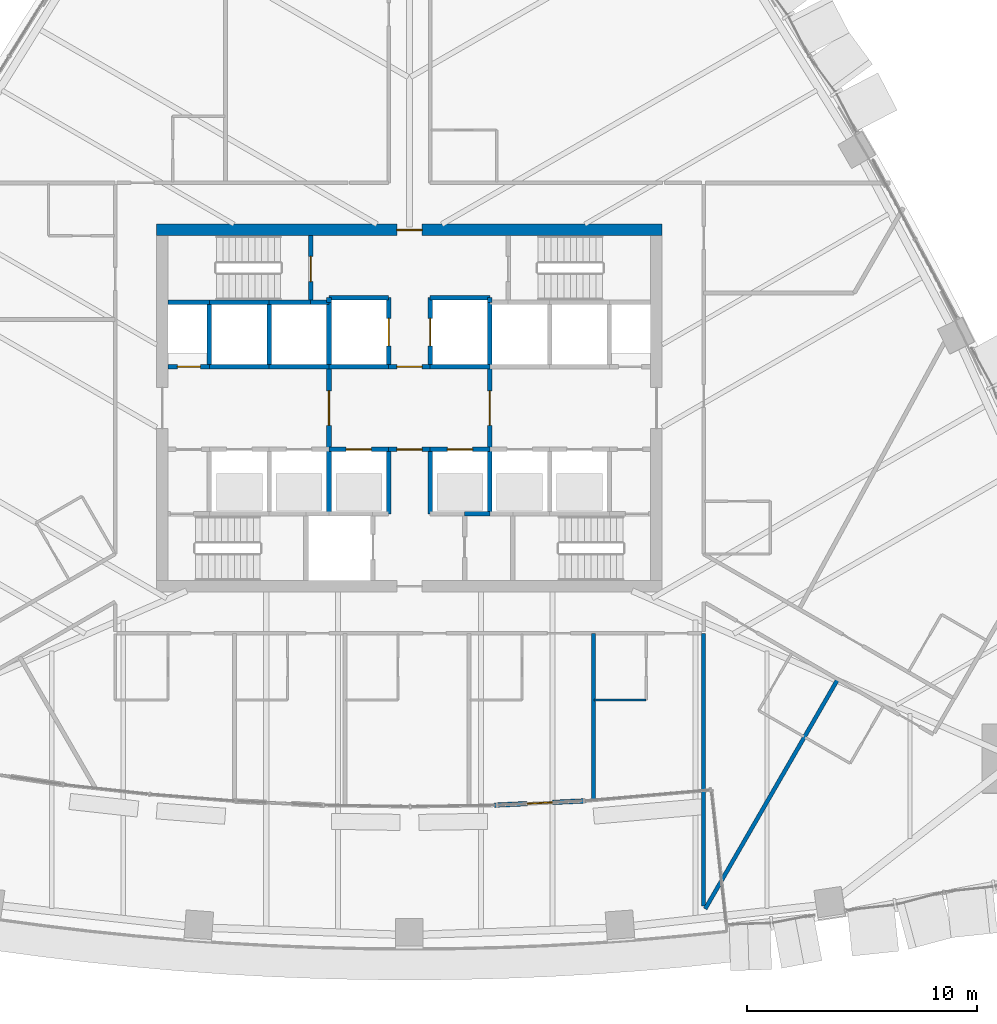
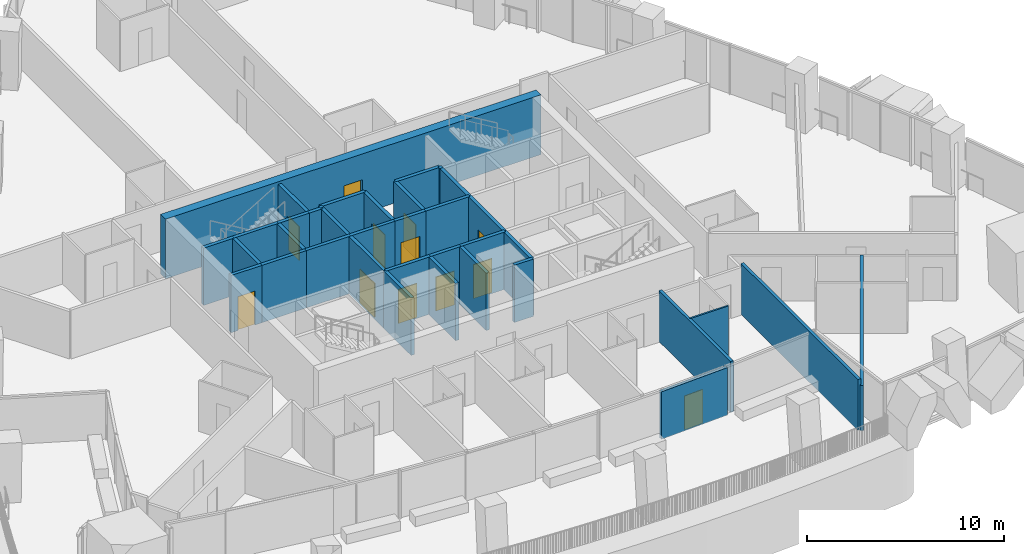
# One storey, part 13 of 22: 37 walls, 12 doors, 12 openings.
"""IFC4 building model written with IfcOpenShell, lengths in metres."""

from ifc_helpers import new_model, si_unit, direction, frame, frame_2d, origin, place, context, subcontext, project, spatial, rectangle, extrude, material, layer, layer_set, type_object, element, fill, save


model = new_model("IFC4")

# Units and contexts
model_context = context("Model", 3, precision=1e-05, world=origin(), true_north=direction((0.0, 1.0)))
body_context = subcontext(model_context, "Body", "Model", "MODEL_VIEW")
ifc_project = project(units=[si_unit("LENGTHUNIT", "METRE"), si_unit("AREAUNIT", "SQUARE_METRE"), si_unit("VOLUMEUNIT", "CUBIC_METRE"), si_unit("PLANEANGLEUNIT", "RADIAN"), si_unit("MASSUNIT", "GRAM", prefix="KILO")], contexts=[model_context])

# Site, building, storey
site_placement = place(None, origin())
site = spatial("IfcSite", under=ifc_project, at=site_placement, CompositionType="ELEMENT")
building_placement = place(site_placement, origin())
building = spatial("IfcBuilding", under=site, at=building_placement, Name="Sierra Prisma Convention Tower", CompositionType="ELEMENT")
storey_placement = place(building_placement, frame((0.0, 0.0, 73.89990234375)))
storey = spatial("IfcBuildingStorey", under=building, at=storey_placement, Name="L14", CompositionType="ELEMENT", Elevation=73.89990234375)

# Wall
ifc_material_1 = material(Name="Gypsum board partition", Category="gypsum")
ifc_layer_1 = layer(ifc_material_1, 0.10009765625)
ifc_layer_set_1 = layer_set([ifc_layer_1], Name="Bathroom partition 100")
wall_type_1 = type_object("IfcWallType", Name="Bathroom partition 100", PredefinedType="PARTITIONING", material=ifc_layer_set_1)
wall_1_placement = place(storey_placement, frame((10.300048828125, -12.699951171875, 0.0), z_axis=(0.0, 0.0, 1.0), x_axis=(-1.0, 0.0, 0.0)))
element("IfcWall", 1, at=wall_1_placement, inside=storey, type_object=wall_type_1, Name="Partition L14 bath 23", PredefinedType="PARTITIONING", context=body_context, shape_type="SweptSolid", body=[
    extrude(rectangle(XDim=2.27001953125, YDim=0.10009765625, at=frame_2d((1.135009765625, 0.0))), origin(), (0.0, 0.0, 1.0), 3.150146484375),
])

# Wall, opening, door
ifc_material_2 = material(Name="Concrete C30/37", Category="concrete")
ifc_layer_2 = layer(ifc_material_2, 0.199951171875)
ifc_layer_set_2 = layer_set([ifc_layer_2], Name="Core wall RC 200 C30/37")
wall_type_2 = type_object("IfcWallType", Name="Core wall RC 200 C30/37", PredefinedType="SOLIDWALL", material=ifc_layer_set_2)
wall_2_placement = place(storey_placement, frame((-8.699951171875, 1.800048828125, 0.0), z_axis=(0.0, 0.0, 1.0), x_axis=(-1.0, 0.0, 0.0)))
wall_2 = element("IfcWall", 2, at=wall_2_placement, inside=storey, type_object=wall_type_2, Name="Core wall L14 3", PredefinedType="SOLIDWALL", context=body_context, shape_type="SweptSolid", body=[
    extrude(rectangle(XDim=1.800048828125, YDim=0.199951171875, at=frame_2d((0.89990234375, 0.0))), origin(), (0.0, 0.0, 1.0), 3.550048828125),
])
opening_1_placement = place(wall_2_placement, frame((0.39990234375, 0.0, 0.0)))
opening_1 = element("IfcOpeningElement", 3, at=opening_1_placement, cuts=wall_2, Name="Opening L14-D033", PredefinedType="OPENING", context=body_context, shape_type="SweptSolid", body=[
    extrude(rectangle(XDim=1.0, YDim=2.10009765625, at=frame_2d((0.5, 1.050048828125))), frame((0.0, 0.10009765625, 0.0), z_axis=(0.0, -1.0, 0.0), x_axis=(1.0, 0.0, 0.0)), (0.0, 0.0, 1.0), 0.199951171875),
])
ifc_material_3 = material(Name="Steel fire door leaf", Category="steel")
door_type_1 = type_object("IfcDoorType", Name="Door 1000x2100 FD60S", OperationType="SINGLE_SWING_LEFT", PredefinedType="DOOR", material=ifc_material_3)
door_1_placement = place(opening_1_placement, origin())
door_1 = element("IfcDoor", 4, at=door_1_placement, inside=storey, type_object=door_type_1, Name="Door L14 47", OperationType="SINGLE_SWING_RIGHT", OverallHeight=2.10009765625, OverallWidth=1.0, PredefinedType="DOOR", context=body_context, shape_type="SweptSolid", body=[
    extrude(rectangle(XDim=1.0, YDim=2.10009765625, at=frame_2d((0.5, 1.050048828125))), frame((0.0, 0.02490234375, 0.0), z_axis=(0.0, -1.0, 0.0), x_axis=(1.0, 0.0, 0.0)), (0.0, 0.0, 1.0), 0.050048828125),
])
fill(opening_1, door_1)

# Walls
wall_3_placement = place(storey_placement, frame((-8.699951171875, 4.60009765625, 0.0), z_axis=(0.0, 0.0, 1.0), x_axis=(-1.0, 0.0, 0.0)))
element("IfcWall", 5, at=wall_3_placement, inside=storey, type_object=wall_type_2, Name="Core wall L14 4", PredefinedType="SOLIDWALL", context=body_context, shape_type="SweptSolid", body=[
    extrude(rectangle(XDim=1.800048828125, YDim=0.199951171875, at=frame_2d((0.89990234375, 0.0))), origin(), (0.0, 0.0, 1.0), 3.550048828125),
])
wall_4_placement = place(storey_placement, frame((-6.10009765625, 1.800048828125, 0.0), z_axis=(0.0, 0.0, 1.0), x_axis=(-1.0, 0.0, 0.0)))
element("IfcWall", 6, at=wall_4_placement, inside=storey, type_object=wall_type_2, Name="Core wall L14 8", PredefinedType="SOLIDWALL", context=body_context, shape_type="SweptSolid", body=[
    extrude(rectangle(XDim=2.599853515625, YDim=0.199951171875, at=frame_2d((1.2998046875, 0.0))), origin(), (0.0, 0.0, 1.0), 3.550048828125),
])
wall_5_placement = place(storey_placement, frame((-8.699951171875, 1.800048828125, 0.0), z_axis=(0.0, 0.0, 1.0), x_axis=(0.0, 1.0, 0.0)))
element("IfcWall", 7, at=wall_5_placement, inside=storey, type_object=wall_type_2, Name="Core wall L14 9", PredefinedType="SOLIDWALL", context=body_context, shape_type="SweptSolid", body=[
    extrude(rectangle(XDim=2.800048828125, YDim=0.199951171875, at=frame_2d((1.39990234375, 0.0))), origin(), (0.0, 0.0, 1.0), 3.550048828125),
])
wall_6_placement = place(storey_placement, frame((-6.10009765625, 4.60009765625, 0.0), z_axis=(0.0, 0.0, 1.0), x_axis=(-1.0, 0.0, 0.0)))
element("IfcWall", 8, at=wall_6_placement, inside=storey, type_object=wall_type_2, Name="Core wall L14 10", PredefinedType="SOLIDWALL", context=body_context, shape_type="SweptSolid", body=[
    extrude(rectangle(XDim=2.599853515625, YDim=0.199951171875, at=frame_2d((1.2998046875, 0.0))), origin(), (0.0, 0.0, 1.0), 3.550048828125),
])
wall_7_placement = place(storey_placement, frame((-3.5, 1.800048828125, 0.0), z_axis=(0.0, 0.0, 1.0), x_axis=(-1.0, 0.0, 0.0)))
element("IfcWall", 9, at=wall_7_placement, inside=storey, type_object=wall_type_2, Name="Core wall L14 14", PredefinedType="SOLIDWALL", context=body_context, shape_type="SweptSolid", body=[
    extrude(rectangle(XDim=2.60009765625, YDim=0.199951171875, at=frame_2d((1.300048828125, 0.0))), origin(), (0.0, 0.0, 1.0), 3.550048828125),
])
wall_8_placement = place(storey_placement, frame((-6.10009765625, 1.800048828125, 0.0), z_axis=(0.0, 0.0, 1.0), x_axis=(0.0, 1.0, 0.0)))
element("IfcWall", 10, at=wall_8_placement, inside=storey, type_object=wall_type_2, Name="Core wall L14 15", PredefinedType="SOLIDWALL", context=body_context, shape_type="SweptSolid", body=[
    extrude(rectangle(XDim=2.800048828125, YDim=0.199951171875, at=frame_2d((1.39990234375, 0.0))), origin(), (0.0, 0.0, 1.0), 3.550048828125),
])
wall_9_placement = place(storey_placement, frame((-4.300048828125, 4.60009765625, 0.0), z_axis=(0.0, 0.0, 1.0), x_axis=(-1.0, 0.0, 0.0)))
element("IfcWall", 11, at=wall_9_placement, inside=storey, type_object=wall_type_2, Name="Core wall L14 16", PredefinedType="SOLIDWALL", context=body_context, shape_type="SweptSolid", body=[
    extrude(rectangle(XDim=1.800048828125, YDim=0.199951171875, at=frame_2d((0.89990234375, 0.0))), origin(), (0.0, 0.0, 1.0), 3.550048828125),
])
wall_10_placement = place(storey_placement, frame((-3.5, 4.60009765625, 0.0), z_axis=(0.0, 0.0, 1.0), x_axis=(-1.0, 0.0, 0.0)))
element("IfcWall", 12, at=wall_10_placement, inside=storey, type_object=wall_type_2, Name="Core wall L14 19", PredefinedType="SOLIDWALL", context=body_context, shape_type="SweptSolid", body=[
    extrude(rectangle(XDim=0.800048828125, YDim=0.199951171875, at=frame_2d((0.39990234375, 0.0))), origin(), (0.0, 0.0, 1.0), 3.550048828125),
])

# Wall, opening, door
wall_11_placement = place(storey_placement, frame((-4.300048828125, 4.60009765625, 0.0), z_axis=(0.0, 0.0, 1.0), x_axis=(0.0, 1.0, 0.0)))
wall_11 = element("IfcWall", 13, at=wall_11_placement, inside=storey, type_object=wall_type_2, Name="Core wall L14 20", PredefinedType="SOLIDWALL", context=body_context, shape_type="SweptSolid", body=[
    extrude(rectangle(XDim=2.89990234375, YDim=0.199951171875, at=frame_2d((1.449951171875, 0.0))), origin(), (0.0, 0.0, 1.0), 3.550048828125),
])
opening_2_placement = place(wall_11_placement, frame((0.89990234375, 0.0, 0.0)))
opening_2 = element("IfcOpeningElement", 14, at=opening_2_placement, cuts=wall_11, Name="Opening L14-D037", PredefinedType="OPENING", context=body_context, shape_type="SweptSolid", body=[
    extrude(rectangle(XDim=1.10009765625, YDim=2.10009765625, at=frame_2d((0.550048828125, 1.050048828125))), frame((0.0, 0.10009765625, 0.0), z_axis=(0.0, -1.0, 0.0), x_axis=(1.0, 0.0, 0.0)), (0.0, 0.0, 1.0), 0.199951171875),
])
ifc_material_4 = material(Name="Steel fire door leaf", Category="steel")
door_type_2 = type_object("IfcDoorType", Name="Door 1100x2100 FD90S", OperationType="SINGLE_SWING_LEFT", PredefinedType="DOOR", material=ifc_material_4)
door_2_placement = place(opening_2_placement, origin())
door_2 = element("IfcDoor", 15, at=door_2_placement, inside=storey, type_object=door_type_2, Name="Door L14 51", OperationType="SINGLE_SWING_RIGHT", OverallHeight=2.10009765625, OverallWidth=1.10009765625, PredefinedType="DOOR", context=body_context, shape_type="SweptSolid", body=[
    extrude(rectangle(XDim=1.10009765625, YDim=2.10009765625, at=frame_2d((0.550048828125, 1.050048828125))), frame((0.0, 0.02490234375, 0.0), z_axis=(0.0, -1.0, 0.0), x_axis=(1.0, 0.0, 0.0)), (0.0, 0.0, 1.0), 0.050048828125),
])
fill(opening_2, door_2)

# Wall
wall_12_placement = place(storey_placement, frame((-3.5, -4.60009765625, 0.0), z_axis=(0.0, 0.0, 1.0), x_axis=(0.0, 1.0, 0.0)))
element("IfcWall", 16, at=wall_12_placement, inside=storey, type_object=wall_type_2, Name="Core wall L14 22", PredefinedType="SOLIDWALL", context=body_context, shape_type="SweptSolid", body=[
    extrude(rectangle(XDim=2.800048828125, YDim=0.199951171875, at=frame_2d((1.39990234375, 0.0))), origin(), (0.0, 0.0, 1.0), 3.550048828125),
])

# Wall, opening, door
wall_13_placement = place(storey_placement, frame((-3.5, -1.800048828125, 0.0), z_axis=(0.0, 0.0, 1.0), x_axis=(1.0, 0.0, 0.0)))
wall_13 = element("IfcWall", 17, at=wall_13_placement, inside=storey, type_object=wall_type_2, Name="Core wall L14 23", PredefinedType="SOLIDWALL", context=body_context, shape_type="SweptSolid", body=[
    extrude(rectangle(XDim=2.60009765625, YDim=0.199951171875, at=frame_2d((1.300048828125, 0.0))), origin(), (0.0, 0.0, 1.0), 3.550048828125),
])
opening_3_placement = place(wall_13_placement, frame((0.75, 0.0, 0.0)))
opening_3 = element("IfcOpeningElement", 18, at=opening_3_placement, cuts=wall_13, Name="Opening L14-D020", PredefinedType="OPENING", context=body_context, shape_type="SweptSolid", body=[
    extrude(rectangle(XDim=1.10009765625, YDim=2.10009765625, at=frame_2d((0.550048828125, 1.050048828125))), frame((0.0, 0.10009765625, 0.0), z_axis=(0.0, -1.0, 0.0), x_axis=(1.0, 0.0, 0.0)), (0.0, 0.0, 1.0), 0.199951171875),
])
ifc_material_5 = material(Name="Steel fire door leaf", Category="steel")
door_type_3 = type_object("IfcDoorType", Name="Door 1100x2100 EI 90 sliding lift landing", OperationType="SLIDING_TO_LEFT", PredefinedType="DOOR", material=ifc_material_5)
door_3_placement = place(opening_3_placement, origin())
door_3 = element("IfcDoor", 19, at=door_3_placement, inside=storey, type_object=door_type_3, Name="Door L14 34", OperationType="SLIDING_TO_LEFT", OverallHeight=2.10009765625, OverallWidth=1.10009765625, PredefinedType="DOOR", context=body_context, shape_type="SweptSolid", body=[
    extrude(rectangle(XDim=1.10009765625, YDim=2.10009765625, at=frame_2d((0.550048828125, 1.050048828125))), frame((0.0, 0.02490234375, 0.0), z_axis=(0.0, -1.0, 0.0), x_axis=(1.0, 0.0, 0.0)), (0.0, 0.0, 1.0), 0.050048828125),
])
fill(opening_3, door_3)

wall_14_placement = place(storey_placement, frame((-3.5, 1.800048828125, 0.0), z_axis=(0.0, 0.0, 1.0), x_axis=(0.0, -1.0, 0.0)))
wall_14 = element("IfcWall", 20, at=wall_14_placement, inside=storey, type_object=wall_type_2, Name="Core wall L14 24", PredefinedType="SOLIDWALL", context=body_context, shape_type="SweptSolid", body=[
    extrude(rectangle(XDim=3.60009765625, YDim=0.199951171875, at=frame_2d((1.800048828125, 0.0))), origin(), (0.0, 0.0, 1.0), 3.550048828125),
])
opening_4_placement = place(wall_14_placement, frame((1.050048828125, 0.0, 0.0)))
opening_4 = element("IfcOpeningElement", 21, at=opening_4_placement, cuts=wall_14, Name="Opening L14-D027", PredefinedType="OPENING", context=body_context, shape_type="SweptSolid", body=[
    extrude(rectangle(XDim=1.5, YDim=2.10009765625, at=frame_2d((0.75, 1.050048828125))), frame((0.0, 0.10009765625, 0.0), z_axis=(0.0, -1.0, 0.0), x_axis=(1.0, 0.0, 0.0)), (0.0, 0.0, 1.0), 0.199951171875),
])
ifc_material_6 = material(Name="Steel fire door leaf", Category="steel")
door_type_4 = type_object("IfcDoorType", Name="Door 1500x2100 FD30S", OperationType="DOUBLE_DOOR_SINGLE_SWING", PredefinedType="DOOR", material=ifc_material_6)
door_4_placement = place(opening_4_placement, origin())
door_4 = element("IfcDoor", 22, at=door_4_placement, inside=storey, type_object=door_type_4, Name="Door L14 41", OperationType="DOUBLE_DOOR_SINGLE_SWING", OverallHeight=2.10009765625, OverallWidth=1.5, PredefinedType="DOOR", context=body_context, shape_type="SweptSolid", body=[
    extrude(rectangle(XDim=1.5, YDim=2.10009765625, at=frame_2d((0.75, 1.050048828125))), frame((0.0, 0.02490234375, 0.0), z_axis=(0.0, -1.0, 0.0), x_axis=(1.0, 0.0, 0.0)), (0.0, 0.0, 1.0), 0.050048828125),
])
fill(opening_4, door_4)

# Walls
wall_15_placement = place(storey_placement, frame((-0.89990234375, 1.800048828125, 0.0), z_axis=(0.0, 0.0, 1.0), x_axis=(-1.0, 0.0, 0.0)))
element("IfcWall", 23, at=wall_15_placement, inside=storey, type_object=wall_type_2, Name="Core wall L14 25", PredefinedType="SOLIDWALL", context=body_context, shape_type="SweptSolid", body=[
    extrude(rectangle(XDim=2.60009765625, YDim=0.199951171875, at=frame_2d((1.300048828125, 0.0))), origin(), (0.0, 0.0, 1.0), 3.550048828125),
])
wall_16_placement = place(storey_placement, frame((-3.5, 4.60009765625, 0.0), z_axis=(0.0, 0.0, 1.0), x_axis=(0.0, -1.0, 0.0)))
element("IfcWall", 24, at=wall_16_placement, inside=storey, type_object=wall_type_2, Name="Core wall L14 26", PredefinedType="SOLIDWALL", context=body_context, shape_type="SweptSolid", body=[
    extrude(rectangle(XDim=2.800048828125, YDim=0.199951171875, at=frame_2d((1.39990234375, 0.0))), origin(), (0.0, 0.0, 1.0), 3.550048828125),
])

# Wall, opening, door
wall_17_placement = place(storey_placement, frame((-0.89990234375, 1.800048828125, 0.0), z_axis=(0.0, 0.0, 1.0), x_axis=(0.0, 1.0, 0.0)))
wall_17 = element("IfcWall", 25, at=wall_17_placement, inside=storey, type_object=wall_type_2, Name="Core wall L14 27", PredefinedType="SOLIDWALL", context=body_context, shape_type="SweptSolid", body=[
    extrude(rectangle(XDim=3.0, YDim=0.199951171875, at=frame_2d((1.5, 0.0))), origin(), (0.0, 0.0, 1.0), 3.550048828125),
])
opening_5_placement = place(wall_17_placement, frame((0.89990234375, 0.0, 0.0)))
opening_5 = element("IfcOpeningElement", 26, at=opening_5_placement, cuts=wall_17, Name="Opening L14-D024", PredefinedType="OPENING", context=body_context, shape_type="SweptSolid", body=[
    extrude(rectangle(XDim=1.199951171875, YDim=2.10009765625, at=frame_2d((0.60009765625, 1.050048828125))), frame((0.0, 0.10009765625, 0.0), z_axis=(0.0, -1.0, 0.0), x_axis=(1.0, 0.0, 0.0)), (0.0, 0.0, 1.0), 0.199951171875),
])
ifc_material_7 = material(Name="Steel fire door leaf", Category="steel")
door_type_5 = type_object("IfcDoorType", Name="Door 1200x2100 EI 90 sliding lift landing", OperationType="SLIDING_TO_LEFT", PredefinedType="DOOR", material=ifc_material_7)
door_5_placement = place(opening_5_placement, origin())
door_5 = element("IfcDoor", 27, at=door_5_placement, inside=storey, type_object=door_type_5, Name="Door L14 38", OperationType="SLIDING_TO_RIGHT", OverallHeight=2.10009765625, OverallWidth=1.199951171875, PredefinedType="DOOR", context=body_context, shape_type="SweptSolid", body=[
    extrude(rectangle(XDim=1.199951171875, YDim=2.10009765625, at=frame_2d((0.60009765625, 1.050048828125))), frame((0.0, 0.02490234375, 0.0), z_axis=(0.0, -1.0, 0.0), x_axis=(1.0, 0.0, 0.0)), (0.0, 0.0, 1.0), 0.050048828125),
])
fill(opening_5, door_5)

# Walls
wall_18_placement = place(storey_placement, frame((-0.89990234375, 4.800048828125, 0.0), z_axis=(0.0, 0.0, 1.0), x_axis=(-1.0, 0.0, 0.0)))
element("IfcWall", 28, at=wall_18_placement, inside=storey, type_object=wall_type_2, Name="Core wall L14 28", PredefinedType="SOLIDWALL", context=body_context, shape_type="SweptSolid", body=[
    extrude(rectangle(XDim=2.60009765625, YDim=0.199951171875, at=frame_2d((1.300048828125, 0.0))), origin(), (0.0, 0.0, 1.0), 3.550048828125),
])
wall_19_placement = place(storey_placement, frame((-3.5, 4.800048828125, 0.0), z_axis=(0.0, 0.0, 1.0), x_axis=(0.0, -1.0, 0.0)))
element("IfcWall", 29, at=wall_19_placement, inside=storey, type_object=wall_type_2, Name="Core wall L14 29", PredefinedType="SOLIDWALL", context=body_context, shape_type="SweptSolid", body=[
    extrude(rectangle(XDim=0.199951171875, YDim=0.199951171875, at=frame_2d((0.10009765625, 0.0))), origin(), (0.0, 0.0, 1.0), 3.550048828125),
])
wall_20_placement = place(storey_placement, frame((-0.89990234375, -4.60009765625, 0.0), z_axis=(0.0, 0.0, 1.0), x_axis=(0.0, 1.0, 0.0)))
element("IfcWall", 30, at=wall_20_placement, inside=storey, type_object=wall_type_2, Name="Core wall L14 32", PredefinedType="SOLIDWALL", context=body_context, shape_type="SweptSolid", body=[
    extrude(rectangle(XDim=2.800048828125, YDim=0.199951171875, at=frame_2d((1.39990234375, 0.0))), origin(), (0.0, 0.0, 1.0), 3.550048828125),
])

# Wall, opening, door
wall_21_placement = place(storey_placement, frame((-0.89990234375, -1.800048828125, 0.0), z_axis=(0.0, 0.0, 1.0), x_axis=(1.0, 0.0, 0.0)))
wall_21 = element("IfcWall", 31, at=wall_21_placement, inside=storey, type_object=wall_type_2, Name="Core wall L14 33", PredefinedType="SOLIDWALL", context=body_context, shape_type="SweptSolid", body=[
    extrude(rectangle(XDim=1.7998046875, YDim=0.199951171875, at=frame_2d((0.89990234375, 0.0))), origin(), (0.0, 0.0, 1.0), 3.550048828125),
])
opening_6_placement = place(wall_21_placement, frame((0.35009765625, 0.0, 0.0)))
opening_6 = element("IfcOpeningElement", 32, at=opening_6_placement, cuts=wall_21, Name="Opening L14-D032", PredefinedType="OPENING", context=body_context, shape_type="SweptSolid", body=[
    extrude(rectangle(XDim=1.10009765625, YDim=2.10009765625, at=frame_2d((0.550048828125, 1.050048828125))), frame((0.0, 0.10009765625, 0.0), z_axis=(0.0, -1.0, 0.0), x_axis=(1.0, 0.0, 0.0)), (0.0, 0.0, 1.0), 0.199951171875),
])
ifc_material_8 = material(Name="Steel fire door leaf", Category="steel")
door_type_6 = type_object("IfcDoorType", Name="Door 1100x2100 FD30S", OperationType="SINGLE_SWING_LEFT", PredefinedType="DOOR", material=ifc_material_8)
door_6_placement = place(opening_6_placement, origin())
door_6 = element("IfcDoor", 33, at=door_6_placement, inside=storey, type_object=door_type_6, Name="Door L14 46", OperationType="SINGLE_SWING_RIGHT", OverallHeight=2.10009765625, OverallWidth=1.10009765625, PredefinedType="DOOR", context=body_context, shape_type="SweptSolid", body=[
    extrude(rectangle(XDim=1.10009765625, YDim=2.10009765625, at=frame_2d((0.550048828125, 1.050048828125))), frame((0.0, 0.02490234375, 0.0), z_axis=(0.0, -1.0, 0.0), x_axis=(1.0, 0.0, 0.0)), (0.0, 0.0, 1.0), 0.050048828125),
])
fill(opening_6, door_6)

wall_22_placement = place(storey_placement, frame((0.89990234375, 1.800048828125, 0.0), z_axis=(0.0, 0.0, 1.0), x_axis=(-1.0, 0.0, 0.0)))
wall_22 = element("IfcWall", 34, at=wall_22_placement, inside=storey, type_object=wall_type_2, Name="Core wall L14 34", PredefinedType="SOLIDWALL", context=body_context, shape_type="SweptSolid", body=[
    extrude(rectangle(XDim=1.7998046875, YDim=0.199951171875, at=frame_2d((0.89990234375, 0.0))), origin(), (0.0, 0.0, 1.0), 3.550048828125),
])
opening_7_placement = place(wall_22_placement, frame((0.35009765625, 0.0, 0.0)))
opening_7 = element("IfcOpeningElement", 35, at=opening_7_placement, cuts=wall_22, Name="Opening L14-D031", PredefinedType="OPENING", context=body_context, shape_type="SweptSolid", body=[
    extrude(rectangle(XDim=1.10009765625, YDim=2.10009765625, at=frame_2d((0.550048828125, 1.050048828125))), frame((0.0, 0.10009765625, 0.0), z_axis=(0.0, -1.0, 0.0), x_axis=(1.0, 0.0, 0.0)), (0.0, 0.0, 1.0), 0.199951171875),
])
ifc_material_9 = material(Name="Steel fire door leaf", Category="steel")
door_type_7 = type_object("IfcDoorType", Name="Door 1100x2100 FD60S", OperationType="SINGLE_SWING_LEFT", PredefinedType="DOOR", material=ifc_material_9)
door_7_placement = place(opening_7_placement, origin())
door_7 = element("IfcDoor", 36, at=door_7_placement, inside=storey, type_object=door_type_7, Name="Door L14 45", OperationType="SINGLE_SWING_RIGHT", OverallHeight=2.10009765625, OverallWidth=1.10009765625, PredefinedType="DOOR", context=body_context, shape_type="SweptSolid", body=[
    extrude(rectangle(XDim=1.10009765625, YDim=2.10009765625, at=frame_2d((0.550048828125, 1.050048828125))), frame((0.0, 0.02490234375, 0.0), z_axis=(0.0, -1.0, 0.0), x_axis=(1.0, 0.0, 0.0)), (0.0, 0.0, 1.0), 0.050048828125),
])
fill(opening_7, door_7)

wall_23_placement = place(storey_placement, frame((0.89990234375, -1.800048828125, 0.0), z_axis=(0.0, 0.0, 1.0), x_axis=(1.0, 0.0, 0.0)))
wall_23 = element("IfcWall", 37, at=wall_23_placement, inside=storey, type_object=wall_type_2, Name="Core wall L14 35", PredefinedType="SOLIDWALL", context=body_context, shape_type="SweptSolid", body=[
    extrude(rectangle(XDim=2.60009765625, YDim=0.199951171875, at=frame_2d((1.300048828125, 0.0))), origin(), (0.0, 0.0, 1.0), 3.550048828125),
])
opening_8_placement = place(wall_23_placement, frame((0.75, 0.0, 0.0)))
opening_8 = element("IfcOpeningElement", 38, at=opening_8_placement, cuts=wall_23, Name="Opening L14-D021", PredefinedType="OPENING", context=body_context, shape_type="SweptSolid", body=[
    extrude(rectangle(XDim=1.10009765625, YDim=2.10009765625, at=frame_2d((0.550048828125, 1.050048828125))), frame((0.0, 0.10009765625, 0.0), z_axis=(0.0, -1.0, 0.0), x_axis=(1.0, 0.0, 0.0)), (0.0, 0.0, 1.0), 0.199951171875),
])
door_8_placement = place(opening_8_placement, origin())
door_8 = element("IfcDoor", 39, at=door_8_placement, inside=storey, type_object=door_type_3, Name="Door L14 35", OperationType="SLIDING_TO_LEFT", OverallHeight=2.10009765625, OverallWidth=1.10009765625, PredefinedType="DOOR", context=body_context, shape_type="SweptSolid", body=[
    extrude(rectangle(XDim=1.10009765625, YDim=2.10009765625, at=frame_2d((0.550048828125, 1.050048828125))), frame((0.0, 0.02490234375, 0.0), z_axis=(0.0, -1.0, 0.0), x_axis=(1.0, 0.0, 0.0)), (0.0, 0.0, 1.0), 0.050048828125),
])
fill(opening_8, door_8)

# Walls
wall_24_placement = place(storey_placement, frame((0.89990234375, -1.800048828125, 0.0), z_axis=(0.0, 0.0, 1.0), x_axis=(0.0, -1.0, 0.0)))
element("IfcWall", 40, at=wall_24_placement, inside=storey, type_object=wall_type_2, Name="Core wall L14 36", PredefinedType="SOLIDWALL", context=body_context, shape_type="SweptSolid", body=[
    extrude(rectangle(XDim=2.800048828125, YDim=0.199951171875, at=frame_2d((1.39990234375, 0.0))), origin(), (0.0, 0.0, 1.0), 3.550048828125),
])
wall_25_placement = place(storey_placement, frame((3.5, 1.800048828125, 0.0), z_axis=(0.0, 0.0, 1.0), x_axis=(-1.0, 0.0, 0.0)))
element("IfcWall", 41, at=wall_25_placement, inside=storey, type_object=wall_type_2, Name="Core wall L14 38", PredefinedType="SOLIDWALL", context=body_context, shape_type="SweptSolid", body=[
    extrude(rectangle(XDim=2.60009765625, YDim=0.199951171875, at=frame_2d((1.300048828125, 0.0))), origin(), (0.0, 0.0, 1.0), 3.550048828125),
])
wall_26_placement = place(storey_placement, frame((3.5, 4.60009765625, 0.0), z_axis=(0.0, 0.0, 1.0), x_axis=(0.0, 1.0, 0.0)))
element("IfcWall", 42, at=wall_26_placement, inside=storey, type_object=wall_type_2, Name="Core wall L14 39", PredefinedType="SOLIDWALL", context=body_context, shape_type="SweptSolid", body=[
    extrude(rectangle(XDim=0.199951171875, YDim=0.199951171875, at=frame_2d((0.10009765625, 0.0))), origin(), (0.0, 0.0, 1.0), 3.550048828125),
])
wall_27_placement = place(storey_placement, frame((3.5, 4.800048828125, 0.0), z_axis=(0.0, 0.0, 1.0), x_axis=(-1.0, 0.0, 0.0)))
element("IfcWall", 43, at=wall_27_placement, inside=storey, type_object=wall_type_2, Name="Core wall L14 40", PredefinedType="SOLIDWALL", context=body_context, shape_type="SweptSolid", body=[
    extrude(rectangle(XDim=2.60009765625, YDim=0.199951171875, at=frame_2d((1.300048828125, 0.0))), origin(), (0.0, 0.0, 1.0), 3.550048828125),
])

# Wall, opening, door
wall_28_placement = place(storey_placement, frame((0.89990234375, 4.800048828125, 0.0), z_axis=(0.0, 0.0, 1.0), x_axis=(0.0, -1.0, 0.0)))
wall_28 = element("IfcWall", 44, at=wall_28_placement, inside=storey, type_object=wall_type_2, Name="Core wall L14 41", PredefinedType="SOLIDWALL", context=body_context, shape_type="SweptSolid", body=[
    extrude(rectangle(XDim=3.0, YDim=0.199951171875, at=frame_2d((1.5, 0.0))), origin(), (0.0, 0.0, 1.0), 3.550048828125),
])
opening_9_placement = place(wall_28_placement, frame((0.89990234375, 0.0, 0.0)))
opening_9 = element("IfcOpeningElement", 45, at=opening_9_placement, cuts=wall_28, Name="Opening L14-D025", PredefinedType="OPENING", context=body_context, shape_type="SweptSolid", body=[
    extrude(rectangle(XDim=1.199951171875, YDim=2.10009765625, at=frame_2d((0.60009765625, 1.050048828125))), frame((0.0, 0.10009765625, 0.0), z_axis=(0.0, -1.0, 0.0), x_axis=(1.0, 0.0, 0.0)), (0.0, 0.0, 1.0), 0.199951171875),
])
door_9_placement = place(opening_9_placement, origin())
door_9 = element("IfcDoor", 46, at=door_9_placement, inside=storey, type_object=door_type_5, Name="Door L14 39", OperationType="SLIDING_TO_LEFT", OverallHeight=2.10009765625, OverallWidth=1.199951171875, PredefinedType="DOOR", context=body_context, shape_type="SweptSolid", body=[
    extrude(rectangle(XDim=1.199951171875, YDim=2.10009765625, at=frame_2d((0.60009765625, 1.050048828125))), frame((0.0, 0.02490234375, 0.0), z_axis=(0.0, -1.0, 0.0), x_axis=(1.0, 0.0, 0.0)), (0.0, 0.0, 1.0), 0.050048828125),
])
fill(opening_9, door_9)

# Walls
wall_29_placement = place(storey_placement, frame((3.5, -4.60009765625, 0.0), z_axis=(0.0, 0.0, 1.0), x_axis=(-1.0, 0.0, 0.0)))
element("IfcWall", 47, at=wall_29_placement, inside=storey, type_object=wall_type_2, Name="Core wall L14 43", PredefinedType="SOLIDWALL", context=body_context, shape_type="SweptSolid", body=[
    extrude(rectangle(XDim=1.10009765625, YDim=0.199951171875, at=frame_2d((0.550048828125, 0.0))), origin(), (0.0, 0.0, 1.0), 3.550048828125),
])
wall_30_placement = place(storey_placement, frame((3.5, -4.60009765625, 0.0), z_axis=(0.0, 0.0, 1.0), x_axis=(0.0, 1.0, 0.0)))
element("IfcWall", 48, at=wall_30_placement, inside=storey, type_object=wall_type_2, Name="Core wall L14 45", PredefinedType="SOLIDWALL", context=body_context, shape_type="SweptSolid", body=[
    extrude(rectangle(XDim=2.800048828125, YDim=0.199951171875, at=frame_2d((1.39990234375, 0.0))), origin(), (0.0, 0.0, 1.0), 3.550048828125),
])

# Wall, opening, door
wall_31_placement = place(storey_placement, frame((3.5, -1.800048828125, 0.0), z_axis=(0.0, 0.0, 1.0), x_axis=(0.0, 1.0, 0.0)))
wall_31 = element("IfcWall", 49, at=wall_31_placement, inside=storey, type_object=wall_type_2, Name="Core wall L14 47", PredefinedType="SOLIDWALL", context=body_context, shape_type="SweptSolid", body=[
    extrude(rectangle(XDim=3.60009765625, YDim=0.199951171875, at=frame_2d((1.800048828125, 0.0))), origin(), (0.0, 0.0, 1.0), 3.550048828125),
])
opening_10_placement = place(wall_31_placement, frame((1.050048828125, 0.0, 0.0)))
opening_10 = element("IfcOpeningElement", 50, at=opening_10_placement, cuts=wall_31, Name="Opening L14-D028", PredefinedType="OPENING", context=body_context, shape_type="SweptSolid", body=[
    extrude(rectangle(XDim=1.5, YDim=2.10009765625, at=frame_2d((0.75, 1.050048828125))), frame((0.0, 0.10009765625, 0.0), z_axis=(0.0, -1.0, 0.0), x_axis=(1.0, 0.0, 0.0)), (0.0, 0.0, 1.0), 0.199951171875),
])
door_10_placement = place(opening_10_placement, origin())
door_10 = element("IfcDoor", 51, at=door_10_placement, inside=storey, type_object=door_type_4, Name="Door L14 42", OperationType="DOUBLE_DOOR_SINGLE_SWING", OverallHeight=2.10009765625, OverallWidth=1.5, PredefinedType="DOOR", context=body_context, shape_type="SweptSolid", body=[
    extrude(rectangle(XDim=1.5, YDim=2.10009765625, at=frame_2d((0.75, 1.050048828125))), frame((0.0, 0.02490234375, 0.0), z_axis=(0.0, -1.0, 0.0), x_axis=(1.0, 0.0, 0.0)), (0.0, 0.0, 1.0), 0.050048828125),
])
fill(opening_10, door_10)

# Wall
wall_32_placement = place(storey_placement, frame((3.5, 1.800048828125, 0.0), z_axis=(0.0, 0.0, 1.0), x_axis=(0.0, 1.0, 0.0)))
element("IfcWall", 52, at=wall_32_placement, inside=storey, type_object=wall_type_2, Name="Core wall L14 49", PredefinedType="SOLIDWALL", context=body_context, shape_type="SweptSolid", body=[
    extrude(rectangle(XDim=2.800048828125, YDim=0.199951171875, at=frame_2d((1.39990234375, 0.0))), origin(), (0.0, 0.0, 1.0), 3.550048828125),
])

# Wall, opening, door
ifc_material_10 = material(Name="Concrete C60/75", Category="concrete")
ifc_layer_3 = layer(ifc_material_10, 0.5)
ifc_layer_set_3 = layer_set([ifc_layer_3], Name="Core wall RC 500 C60/75")
wall_type_3 = type_object("IfcWallType", Name="Core wall RC 500 C60/75", PredefinedType="SHEAR", material=ifc_layer_set_3)
wall_33_placement = place(storey_placement, frame((-11.0, 7.75, 0.0), z_axis=(0.0, 0.0, 1.0), x_axis=(1.0, 0.0, 0.0)))
wall_33 = element("IfcWall", 53, at=wall_33_placement, inside=storey, type_object=wall_type_3, Name="Core wall N L14", PredefinedType="SHEAR", context=body_context, shape_type="SweptSolid", body=[
    extrude(rectangle(XDim=22.0, YDim=0.5, at=frame_2d((11.0, 0.0))), origin(), (0.0, 0.0, 1.0), 3.7001953125),
])
opening_11_placement = place(wall_33_placement, frame((10.449951171875, 0.0, 0.0)))
opening_11 = element("IfcOpeningElement", 54, at=opening_11_placement, cuts=wall_33, Name="Opening L14-D058", PredefinedType="OPENING", context=body_context, shape_type="SweptSolid", body=[
    extrude(rectangle(XDim=1.10009765625, YDim=2.10009765625, at=frame_2d((0.550048828125, 1.050048828125))), frame((0.0, 0.25, 0.0), z_axis=(0.0, -1.0, 0.0), x_axis=(1.0, 0.0, 0.0)), (0.0, 0.0, 1.0), 0.5),
])
door_11_placement = place(opening_11_placement, origin())
door_11 = element("IfcDoor", 55, at=door_11_placement, inside=storey, type_object=door_type_7, Name="Door L14 56", OperationType="SINGLE_SWING_RIGHT", OverallHeight=2.10009765625, OverallWidth=1.10009765625, PredefinedType="DOOR", context=body_context, shape_type="SweptSolid", body=[
    extrude(rectangle(XDim=1.10009765625, YDim=2.10009765625, at=frame_2d((0.550048828125, 1.050048828125))), frame((0.0, 0.02490234375, 0.0), z_axis=(0.0, -1.0, 0.0), x_axis=(1.0, 0.0, 0.0)), (0.0, 0.0, 1.0), 0.050048828125),
])
fill(opening_11, door_11)

# Walls
ifc_material_11 = material(Name="Acoustic gypsum board partition", Category="gypsum")
ifc_layer_4 = layer(ifc_material_11, 0.175048828125)
ifc_layer_set_4 = layer_set([ifc_layer_4], Name="Guest room party wall 175 acoustic EI 60")
wall_type_4 = type_object("IfcWallType", Name="Guest room party wall 175 acoustic EI 60", PredefinedType="PARTITIONING", material=ifc_layer_set_4)
wall_34_placement = place(storey_placement, frame((8.0, -9.800048828125, 0.0), z_axis=(0.0, 0.0, 1.0), x_axis=(0.0, -1.0, 0.0)))
element("IfcWall", 56, at=wall_34_placement, inside=storey, type_object=wall_type_4, Name="Partition L14 hparty 13", PredefinedType="PARTITIONING", context=body_context, shape_type="SweptSolid", body=[
    extrude(rectangle(XDim=7.263916015625, YDim=0.175048828125, at=frame_2d((3.6318359375, 0.0))), origin(), (0.0, 0.0, 1.0), 3.150146484375),
])
wall_35_placement = place(storey_placement, frame((12.800048828125, -9.800048828125, 0.0), z_axis=(0.0, 0.0, 1.0), x_axis=(0.0, -1.0, 0.0)))
element("IfcWall", 57, at=wall_35_placement, inside=storey, type_object=wall_type_4, Name="Partition L14 hparty 14", PredefinedType="PARTITIONING", context=body_context, shape_type="SweptSolid", body=[
    extrude(rectangle(XDim=11.870361328125, YDim=0.175048828125, at=frame_2d((5.93505859375, 0.0))), origin(), (0.0, 0.0, 1.0), 3.150146484375),
])
wall_36_placement = place(storey_placement, frame((18.638427734375, -11.800048828125, 0.0), z_axis=(0.0, 0.0, 1.0), x_axis=(-0.499983180204, -0.866035114481, 0.0)))
element("IfcWall", 58, at=wall_36_placement, inside=storey, type_object=wall_type_4, Name="Partition L14 hparty 17", PredefinedType="PARTITIONING", context=body_context, shape_type="SweptSolid", body=[
    extrude(rectangle(XDim=11.537109375, YDim=0.175048828125, at=frame_2d((5.7685546875, 0.0))), origin(), (0.0, 0.0, 1.0), 2.797119140625),
])

# Wall, opening, door
ifc_material_12 = material(Name="Precast concrete C40/50", Category="concrete")
ifc_layer_5 = layer(ifc_material_12, 0.199951171875)
ifc_layer_set_5 = layer_set([ifc_layer_5], Name="Terrace door pier")
wall_type_5 = type_object("IfcWallType", Name="Terrace door pier", PredefinedType="SOLIDWALL", material=ifc_layer_set_5)
wall_37_placement = place(storey_placement, frame((3.693359375, -17.279296875, 0.0), z_axis=(0.0, 0.0, 1.0), x_axis=(0.998868834381, 0.047550517367, 0.0)))
wall_37 = element("IfcWall", 59, at=wall_37_placement, inside=storey, type_object=wall_type_5, Name="Terrace door bay L14.38", PredefinedType="SOLIDWALL", context=body_context, shape_type="SweptSolid", body=[
    extrude(rectangle(XDim=3.963623046875, YDim=0.199951171875, at=frame_2d((1.98193359375, 0.0))), origin(), (0.0, 0.0, 1.0), 2.947021484375),
])
opening_12_placement = place(wall_37_placement, frame((1.431884765625, 0.0, 0.0)))
opening_12 = element("IfcOpeningElement", 60, at=opening_12_placement, cuts=wall_37, Name="Opening L14-D003", PredefinedType="OPENING", context=body_context, shape_type="SweptSolid", body=[
    extrude(rectangle(XDim=1.10009765625, YDim=2.10009765625, at=frame_2d((0.550048828125, 1.050048828125))), frame((0.0, 0.10009765625, 0.0), z_axis=(0.0, -1.0, 0.0), x_axis=(1.0, 0.0, 0.0)), (0.0, 0.0, 1.0), 0.199951171875),
])
ifc_material_13 = material(Name="Bronze anodised aluminium and glass", Category="aluminium")
door_type_8 = type_object("IfcDoorType", Name="Terrace door 1100 x 2100", OperationType="SINGLE_SWING_LEFT", PredefinedType="DOOR", material=ifc_material_13)
door_12_placement = place(opening_12_placement, origin())
door_12 = element("IfcDoor", 61, at=door_12_placement, inside=storey, type_object=door_type_8, Name="Terrace door L14.38", OperationType="SINGLE_SWING_RIGHT", OverallHeight=2.10009765625, OverallWidth=1.10009765625, PredefinedType="DOOR", context=body_context, shape_type="SweptSolid", body=[
    extrude(rectangle(XDim=1.10009765625, YDim=2.10009765625, at=frame_2d((0.550048828125, 1.050048828125))), frame((0.0, 0.02490234375, 0.0), z_axis=(0.0, -1.0, 0.0), x_axis=(1.0, 0.0, 0.0)), (0.0, 0.0, 1.0), 0.050048828125),
])
fill(opening_12, door_12)

save(model, "model.ifc")
